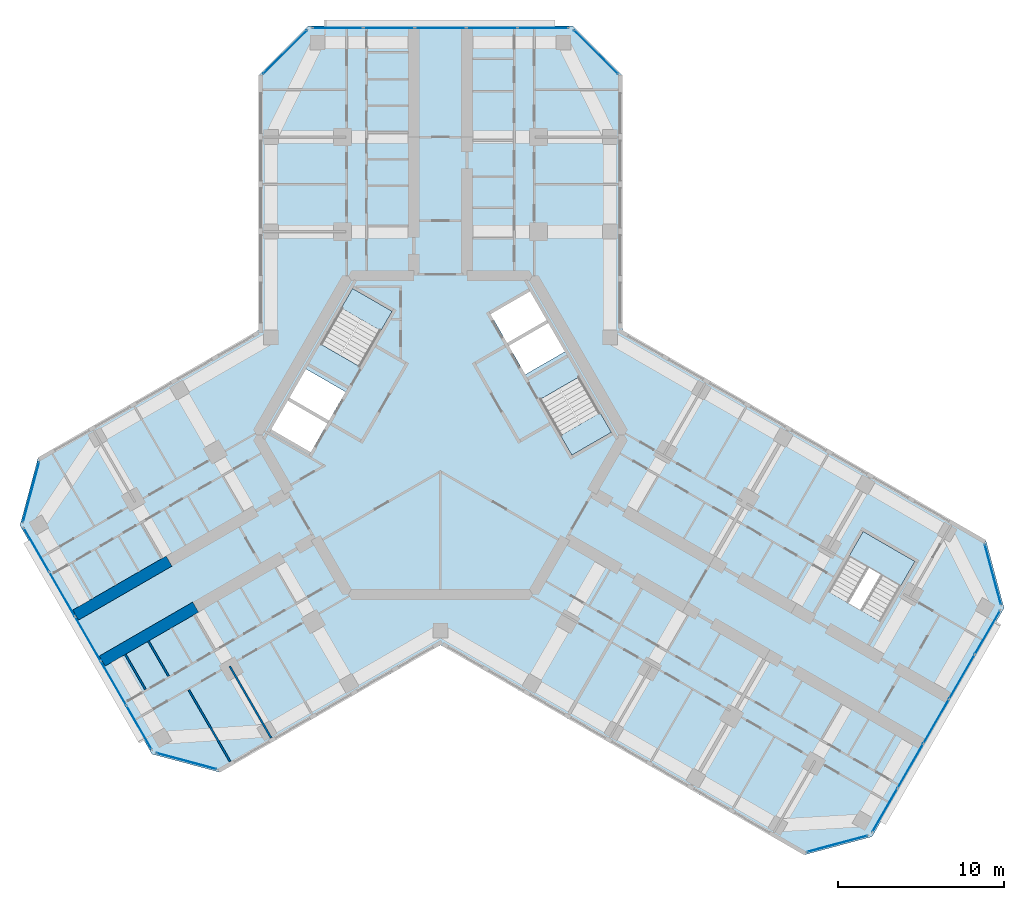
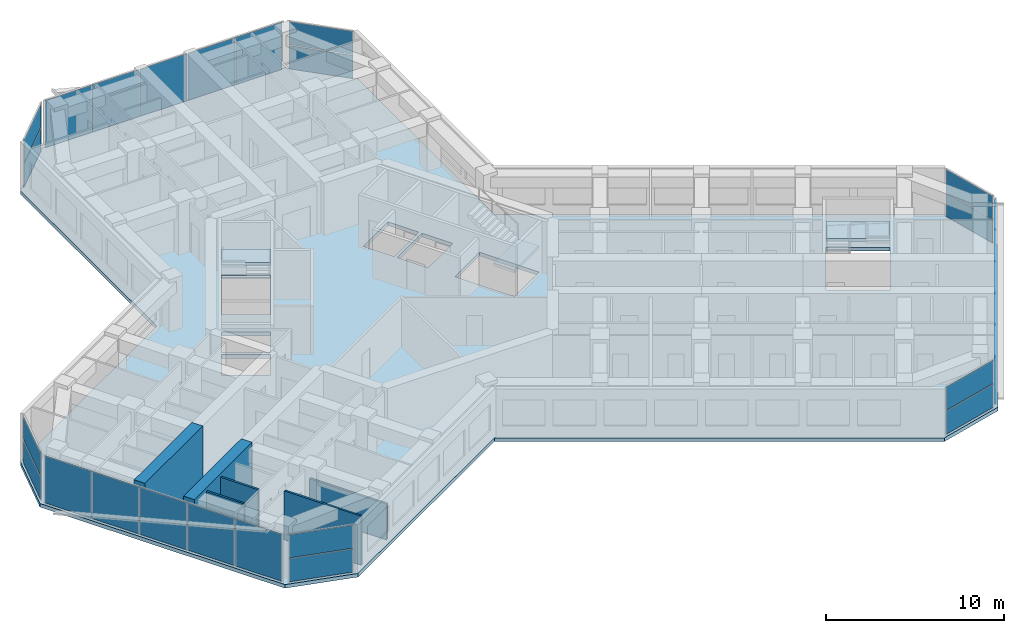
# One storey, part 7 of 16: 27 plates, 6 walls, 4 slabs, 12 elements without a shape of their own.
"""IFC4 building model written with IfcOpenShell, lengths in metres."""

from ifc_helpers import new_model, si_unit, direction, frame, frame_2d, origin, origin_2d, place, context, subcontext, project, spatial, polyline, rectangle, outline, extrude, material, layer, layer_set, type_object, element, aggregate, save


model = new_model("IFC4")

# Units and contexts
model_context = context("Model", 3, precision=1e-05, world=origin(), true_north=direction((0.0, 1.0)))
body_context = subcontext(model_context, "Body", "Model", "MODEL_VIEW")
ifc_project = project(units=[si_unit("LENGTHUNIT", "METRE"), si_unit("AREAUNIT", "SQUARE_METRE"), si_unit("VOLUMEUNIT", "CUBIC_METRE"), si_unit("PLANEANGLEUNIT", "RADIAN"), si_unit("MASSUNIT", "GRAM", prefix="KILO")], contexts=[model_context])

# Site, building, storey
site_placement = place(None, origin())
site = spatial("IfcSite", under=ifc_project, at=site_placement, CompositionType="ELEMENT")
building_placement = place(site_placement, origin())
building = spatial("IfcBuilding", under=site, at=building_placement, Name="Kosmar Iwan School Tower", CompositionType="ELEMENT")
storey_placement = place(building_placement, frame((0.0, 0.0, 215.39990234375)))
storey = spatial("IfcBuildingStorey", under=building, at=storey_placement, Name="L54", CompositionType="ELEMENT", Elevation=215.39990234375)

# Curtain wall, plates
ifc_material_1 = material(Name="Dark glass in black aluminium frame", Category="aluminium")
curtain_wall_type_1 = type_object("IfcCurtainWallType", Name="Chamfer curtain wall dark glass", PredefinedType="USERDEFINED", material=ifc_material_1)
curtain_wall_1_placement = place(storey_placement, origin())
curtain_wall_1 = element("IfcCurtainWall", 1, at=curtain_wall_1_placement, inside=storey, type_object=curtain_wall_type_1, Name="Curtain wall L54-F00", ObjectType="FACETED CURTAIN WALL", PredefinedType="USERDEFINED")
ifc_material_2 = material(Name="Dark glass", Category="glass")
ifc_layer_1 = layer(ifc_material_2, 0.028076171875)
ifc_layer_set_1 = layer_set([ifc_layer_1], Name="Dark glass panel 28")
plate_type = type_object("IfcPlateType", Name="Dark glass panel 28", PredefinedType="CURTAIN_PANEL", material=ifc_layer_set_1)
plate_1_placement = place(storey_placement, frame((23.908203125, -24.61328125, 0.06005859375), z_axis=(0.0, 0.0, 1.0), x_axis=(0.965925875495, 0.258818861462, 0.0)))
plate_1 = element("IfcPlate", 2, at=plate_1_placement, type_object=plate_type, Name="CW2 panel 1.1", PredefinedType="CURTAIN_PANEL", context=body_context, shape_type="SweptSolid", body=[
    extrude(rectangle(XDim=3.718994140625, YDim=0.028076171875, at=origin_2d()), origin(), (0.0, 0.0, 1.0), 1.5849609375),
])
plate_2_placement = place(storey_placement, frame((23.908203125, -24.61328125, 1.705078125), z_axis=(0.0, 0.0, 1.0), x_axis=(0.965925875495, 0.258818861462, 0.0)))
plate_2 = element("IfcPlate", 3, at=plate_2_placement, type_object=plate_type, Name="CW2 panel 1.2", PredefinedType="CURTAIN_PANEL", context=body_context, shape_type="SweptSolid", body=[
    extrude(rectangle(XDim=3.718994140625, YDim=0.028076171875, at=origin_2d()), origin(), (0.0, 0.0, 1.0), 1.5849609375),
])
aggregate(curtain_wall_1, [plate_1, plate_2])

ifc_material_3 = material(Name="Dark glass in black aluminium frame", Category="aluminium")
curtain_wall_type_2 = type_object("IfcCurtainWallType", Name="Tower curtain wall dark glass", PredefinedType="USERDEFINED", material=ifc_material_3)
curtain_wall_2_placement = place(storey_placement, origin())
curtain_wall_2 = element("IfcCurtainWall", 4, at=curtain_wall_2_placement, inside=storey, type_object=curtain_wall_type_2, Name="Curtain wall L54-F01", ObjectType="UNITISED CURTAIN WALL", PredefinedType="USERDEFINED")
plate_3_placement = place(storey_placement, frame((26.764404296875, -22.592529296875, 0.06005859375), z_axis=(0.0, 0.0, 1.0), x_axis=(0.499999997325, 0.866025405329, 0.0)))
plate_3 = element("IfcPlate", 5, at=plate_3_placement, type_object=plate_type, Name="CW1 panel 1.1", PredefinedType="CURTAIN_PANEL", context=body_context, shape_type="SweptSolid", body=[
    extrude(rectangle(XDim=3.00927734375, YDim=0.028076171875, at=origin_2d()), origin(), (0.0, 0.0, 1.0), 3.22998046875),
])
plate_4_placement = place(storey_placement, frame((28.306640625, -19.921630859375, 0.06005859375), z_axis=(0.0, 0.0, 1.0), x_axis=(0.499999997325, 0.866025405329, 0.0)))
plate_4 = element("IfcPlate", 6, at=plate_4_placement, type_object=plate_type, Name="CW1 panel 2.1", PredefinedType="CURTAIN_PANEL", context=body_context, shape_type="SweptSolid", body=[
    extrude(rectangle(XDim=3.039306640625, YDim=0.028076171875, at=origin_2d()), origin(), (0.0, 0.0, 1.0), 3.22998046875),
])
plate_5_placement = place(storey_placement, frame((29.856201171875, -17.237548828125, 0.06005859375), z_axis=(0.0, 0.0, 1.0), x_axis=(0.499999997325, 0.866025405329, 0.0)))
plate_5 = element("IfcPlate", 7, at=plate_5_placement, type_object=plate_type, Name="CW1 panel 3.1", PredefinedType="CURTAIN_PANEL", context=body_context, shape_type="SweptSolid", body=[
    extrude(rectangle(XDim=3.039306640625, YDim=0.028076171875, at=origin_2d()), origin(), (0.0, 0.0, 1.0), 3.22998046875),
])
plate_6_placement = place(storey_placement, frame((31.40576171875, -14.553466796875, 0.06005859375), z_axis=(0.0, 0.0, 1.0), x_axis=(0.499999997325, 0.866025405329, 0.0)))
plate_6 = element("IfcPlate", 8, at=plate_6_placement, type_object=plate_type, Name="CW1 panel 4.1", PredefinedType="CURTAIN_PANEL", context=body_context, shape_type="SweptSolid", body=[
    extrude(rectangle(XDim=3.039306640625, YDim=0.028076171875, at=origin_2d()), origin(), (0.0, 0.0, 1.0), 3.22998046875),
])
plate_7_placement = place(storey_placement, frame((32.947998046875, -11.88232421875, 0.06005859375), z_axis=(0.0, 0.0, 1.0), x_axis=(0.499999997325, 0.866025405329, 0.0)))
plate_7 = element("IfcPlate", 9, at=plate_7_placement, type_object=plate_type, Name="CW1 panel 5.1", PredefinedType="CURTAIN_PANEL", context=body_context, shape_type="SweptSolid", body=[
    extrude(rectangle(XDim=3.00927734375, YDim=0.028076171875, at=origin_2d()), origin(), (0.0, 0.0, 1.0), 3.22998046875),
])
aggregate(curtain_wall_2, [plate_3, plate_4, plate_5, plate_6, plate_7])

curtain_wall_3_placement = place(storey_placement, origin())
curtain_wall_3 = element("IfcCurtainWall", 10, at=curtain_wall_3_placement, inside=storey, type_object=curtain_wall_type_1, Name="Curtain wall L54-F02", ObjectType="FACETED CURTAIN WALL", PredefinedType="USERDEFINED")
plate_8_placement = place(storey_placement, frame((33.269775390625, -8.3984375, 0.06005859375), z_axis=(0.0, 0.0, 1.0), x_axis=(-0.258818861462, 0.965925875495, 0.0)))
plate_8 = element("IfcPlate", 11, at=plate_8_placement, type_object=plate_type, Name="CW2 panel 1.1", PredefinedType="CURTAIN_PANEL", context=body_context, shape_type="SweptSolid", body=[
    extrude(rectangle(XDim=3.718994140625, YDim=0.028076171875, at=origin_2d()), origin(), (0.0, 0.0, 1.0), 1.5849609375),
])
plate_9_placement = place(storey_placement, frame((33.269775390625, -8.3984375, 1.705078125), z_axis=(0.0, 0.0, 1.0), x_axis=(-0.258818861462, 0.965925875495, 0.0)))
plate_9 = element("IfcPlate", 12, at=plate_9_placement, type_object=plate_type, Name="CW2 panel 1.2", PredefinedType="CURTAIN_PANEL", context=body_context, shape_type="SweptSolid", body=[
    extrude(rectangle(XDim=3.718994140625, YDim=0.028076171875, at=origin_2d()), origin(), (0.0, 0.0, 1.0), 1.5849609375),
])
aggregate(curtain_wall_3, [plate_8, plate_9])

curtain_wall_4_placement = place(storey_placement, origin())
curtain_wall_4 = element("IfcCurtainWall", 13, at=curtain_wall_4_placement, inside=storey, type_object=curtain_wall_type_1, Name="Curtain wall L54-F05", ObjectType="FACETED CURTAIN WALL", PredefinedType="USERDEFINED")
plate_10_placement = place(storey_placement, frame((9.361572265625, 23.0615234375, 0.06005859375), z_axis=(0.0, 0.0, 1.0), x_axis=(-0.707106781187, 0.707106781187, 0.0)))
plate_10 = element("IfcPlate", 14, at=plate_10_placement, type_object=plate_type, Name="CW2 panel 1.1", PredefinedType="CURTAIN_PANEL", context=body_context, shape_type="SweptSolid", body=[
    extrude(rectangle(XDim=3.718994140625, YDim=0.028076171875, at=origin_2d()), origin(), (0.0, 0.0, 1.0), 1.5849609375),
])
plate_11_placement = place(storey_placement, frame((9.361572265625, 23.0615234375, 1.705078125), z_axis=(0.0, 0.0, 1.0), x_axis=(-0.707106781187, 0.707106781187, 0.0)))
plate_11 = element("IfcPlate", 15, at=plate_11_placement, type_object=plate_type, Name="CW2 panel 1.2", PredefinedType="CURTAIN_PANEL", context=body_context, shape_type="SweptSolid", body=[
    extrude(rectangle(XDim=3.718994140625, YDim=0.028076171875, at=origin_2d()), origin(), (0.0, 0.0, 1.0), 1.5849609375),
])
aggregate(curtain_wall_4, [plate_10, plate_11])

curtain_wall_5_placement = place(storey_placement, origin())
curtain_wall_5 = element("IfcCurtainWall", 16, at=curtain_wall_5_placement, inside=storey, type_object=curtain_wall_type_2, Name="Curtain wall L54-F06", ObjectType="UNITISED CURTAIN WALL", PredefinedType="USERDEFINED")
plate_12_placement = place(storey_placement, frame((6.18359375, 24.52490234375, 0.06005859375), z_axis=(0.0, 0.0, 1.0), x_axis=(-1.0, 0.0, 0.0)))
plate_12 = element("IfcPlate", 17, at=plate_12_placement, type_object=plate_type, Name="CW1 panel 1.1", PredefinedType="CURTAIN_PANEL", context=body_context, shape_type="SweptSolid", body=[
    extrude(rectangle(XDim=3.00927734375, YDim=0.028076171875, at=origin_2d()), origin(), (0.0, 0.0, 1.0), 3.22998046875),
])
plate_13_placement = place(storey_placement, frame((3.099365234375, 24.52490234375, 0.06005859375), z_axis=(0.0, 0.0, 1.0), x_axis=(-1.0, 0.0, 0.0)))
plate_13 = element("IfcPlate", 18, at=plate_13_placement, type_object=plate_type, Name="CW1 panel 2.1", PredefinedType="CURTAIN_PANEL", context=body_context, shape_type="SweptSolid", body=[
    extrude(rectangle(XDim=3.039306640625, YDim=0.028076171875, at=origin_2d()), origin(), (0.0, 0.0, 1.0), 3.22998046875),
])
plate_14_placement = place(storey_placement, frame((0.0, 24.52490234375, 0.06005859375), z_axis=(0.0, 0.0, 1.0), x_axis=(-1.0, 0.0, 0.0)))
plate_14 = element("IfcPlate", 19, at=plate_14_placement, type_object=plate_type, Name="CW1 panel 3.1", PredefinedType="CURTAIN_PANEL", context=body_context, shape_type="SweptSolid", body=[
    extrude(rectangle(XDim=3.039306640625, YDim=0.028076171875, at=origin_2d()), origin(), (0.0, 0.0, 1.0), 3.22998046875),
])
plate_15_placement = place(storey_placement, frame((-3.099365234375, 24.52490234375, 0.06005859375), z_axis=(0.0, 0.0, 1.0), x_axis=(-1.0, 0.0, 0.0)))
plate_15 = element("IfcPlate", 20, at=plate_15_placement, type_object=plate_type, Name="CW1 panel 4.1", PredefinedType="CURTAIN_PANEL", context=body_context, shape_type="SweptSolid", body=[
    extrude(rectangle(XDim=3.039306640625, YDim=0.028076171875, at=origin_2d()), origin(), (0.0, 0.0, 1.0), 3.22998046875),
])
plate_16_placement = place(storey_placement, frame((-6.18359375, 24.52490234375, 0.06005859375), z_axis=(0.0, 0.0, 1.0), x_axis=(-1.0, 0.0, 0.0)))
plate_16 = element("IfcPlate", 21, at=plate_16_placement, type_object=plate_type, Name="CW1 panel 5.1", PredefinedType="CURTAIN_PANEL", context=body_context, shape_type="SweptSolid", body=[
    extrude(rectangle(XDim=3.00927734375, YDim=0.028076171875, at=origin_2d()), origin(), (0.0, 0.0, 1.0), 3.22998046875),
])
aggregate(curtain_wall_5, [plate_12, plate_13, plate_14, plate_15, plate_16])

curtain_wall_6_placement = place(storey_placement, origin())
curtain_wall_6 = element("IfcCurtainWall", 22, at=curtain_wall_6_placement, inside=storey, type_object=curtain_wall_type_1, Name="Curtain wall L54-F07", ObjectType="FACETED CURTAIN WALL", PredefinedType="USERDEFINED")
plate_17_placement = place(storey_placement, frame((-9.361572265625, 23.0615234375, 0.06005859375), z_axis=(0.0, 0.0, 1.0), x_axis=(-0.707106781187, -0.707106781187, 0.0)))
plate_17 = element("IfcPlate", 23, at=plate_17_placement, type_object=plate_type, Name="CW2 panel 1.1", PredefinedType="CURTAIN_PANEL", context=body_context, shape_type="SweptSolid", body=[
    extrude(rectangle(XDim=3.718994140625, YDim=0.028076171875, at=origin_2d()), origin(), (0.0, 0.0, 1.0), 1.5849609375),
])
plate_18_placement = place(storey_placement, frame((-9.361572265625, 23.0615234375, 1.705078125), z_axis=(0.0, 0.0, 1.0), x_axis=(-0.707106781187, -0.707106781187, 0.0)))
plate_18 = element("IfcPlate", 24, at=plate_18_placement, type_object=plate_type, Name="CW2 panel 1.2", PredefinedType="CURTAIN_PANEL", context=body_context, shape_type="SweptSolid", body=[
    extrude(rectangle(XDim=3.718994140625, YDim=0.028076171875, at=origin_2d()), origin(), (0.0, 0.0, 1.0), 1.5849609375),
])
aggregate(curtain_wall_6, [plate_17, plate_18])

curtain_wall_7_placement = place(storey_placement, origin())
curtain_wall_7 = element("IfcCurtainWall", 25, at=curtain_wall_7_placement, inside=storey, type_object=curtain_wall_type_1, Name="Curtain wall L54-F10", ObjectType="FACETED CURTAIN WALL", PredefinedType="USERDEFINED")
plate_19_placement = place(storey_placement, frame((-24.65283203125, -3.42333984375, 0.06005859375), z_axis=(0.0, 0.0, 1.0), x_axis=(-0.258818861462, -0.965925875495, 0.0)))
plate_19 = element("IfcPlate", 26, at=plate_19_placement, type_object=plate_type, Name="CW2 panel 1.1", PredefinedType="CURTAIN_PANEL", context=body_context, shape_type="SweptSolid", body=[
    extrude(rectangle(XDim=3.718994140625, YDim=0.028076171875, at=origin_2d()), origin(), (0.0, 0.0, 1.0), 1.5849609375),
])
plate_20_placement = place(storey_placement, frame((-24.65283203125, -3.42333984375, 1.705078125), z_axis=(0.0, 0.0, 1.0), x_axis=(-0.258818861462, -0.965925875495, 0.0)))
plate_20 = element("IfcPlate", 27, at=plate_20_placement, type_object=plate_type, Name="CW2 panel 1.2", PredefinedType="CURTAIN_PANEL", context=body_context, shape_type="SweptSolid", body=[
    extrude(rectangle(XDim=3.718994140625, YDim=0.028076171875, at=origin_2d()), origin(), (0.0, 0.0, 1.0), 1.5849609375),
])
aggregate(curtain_wall_7, [plate_19, plate_20])

curtain_wall_8_placement = place(storey_placement, origin())
curtain_wall_8 = element("IfcCurtainWall", 28, at=curtain_wall_8_placement, inside=storey, type_object=curtain_wall_type_2, Name="Curtain wall L54-F11", ObjectType="UNITISED CURTAIN WALL", PredefinedType="USERDEFINED")
plate_21_placement = place(storey_placement, frame((-24.3310546875, -6.907470703125, 0.06005859375), z_axis=(0.0, 0.0, 1.0), x_axis=(0.499999997325, -0.866025405329, 0.0)))
plate_21 = element("IfcPlate", 29, at=plate_21_placement, type_object=plate_type, Name="CW1 panel 1.1", PredefinedType="CURTAIN_PANEL", context=body_context, shape_type="SweptSolid", body=[
    extrude(rectangle(XDim=3.00927734375, YDim=0.028076171875, at=origin_2d()), origin(), (0.0, 0.0, 1.0), 3.22998046875),
])
plate_22_placement = place(storey_placement, frame((-22.788818359375, -9.578369140625, 0.06005859375), z_axis=(0.0, 0.0, 1.0), x_axis=(0.499999997325, -0.866025405329, 0.0)))
plate_22 = element("IfcPlate", 30, at=plate_22_placement, type_object=plate_type, Name="CW1 panel 2.1", PredefinedType="CURTAIN_PANEL", context=body_context, shape_type="SweptSolid", body=[
    extrude(rectangle(XDim=3.039306640625, YDim=0.028076171875, at=origin_2d()), origin(), (0.0, 0.0, 1.0), 3.22998046875),
])
plate_23_placement = place(storey_placement, frame((-21.2392578125, -12.262451171875, 0.06005859375), z_axis=(0.0, 0.0, 1.0), x_axis=(0.499999997325, -0.866025405329, 0.0)))
plate_23 = element("IfcPlate", 31, at=plate_23_placement, type_object=plate_type, Name="CW1 panel 3.1", PredefinedType="CURTAIN_PANEL", context=body_context, shape_type="SweptSolid", body=[
    extrude(rectangle(XDim=3.039306640625, YDim=0.028076171875, at=origin_2d()), origin(), (0.0, 0.0, 1.0), 3.22998046875),
])
plate_24_placement = place(storey_placement, frame((-19.689697265625, -14.946533203125, 0.06005859375), z_axis=(0.0, 0.0, 1.0), x_axis=(0.499999997325, -0.866025405329, 0.0)))
plate_24 = element("IfcPlate", 32, at=plate_24_placement, type_object=plate_type, Name="CW1 panel 4.1", PredefinedType="CURTAIN_PANEL", context=body_context, shape_type="SweptSolid", body=[
    extrude(rectangle(XDim=3.039306640625, YDim=0.028076171875, at=origin_2d()), origin(), (0.0, 0.0, 1.0), 3.22998046875),
])
plate_25_placement = place(storey_placement, frame((-18.1474609375, -17.61767578125, 0.06005859375), z_axis=(0.0, 0.0, 1.0), x_axis=(0.499999997325, -0.866025405329, 0.0)))
plate_25 = element("IfcPlate", 33, at=plate_25_placement, type_object=plate_type, Name="CW1 panel 5.1", PredefinedType="CURTAIN_PANEL", context=body_context, shape_type="SweptSolid", body=[
    extrude(rectangle(XDim=3.00927734375, YDim=0.028076171875, at=origin_2d()), origin(), (0.0, 0.0, 1.0), 3.22998046875),
])
aggregate(curtain_wall_8, [plate_21, plate_22, plate_23, plate_24, plate_25])

curtain_wall_9_placement = place(storey_placement, origin())
curtain_wall_9 = element("IfcCurtainWall", 34, at=curtain_wall_9_placement, inside=storey, type_object=curtain_wall_type_1, Name="Curtain wall L54-F12", ObjectType="FACETED CURTAIN WALL", PredefinedType="USERDEFINED")
plate_26_placement = place(storey_placement, frame((-15.291015625, -19.63818359375, 0.06005859375), z_axis=(0.0, 0.0, 1.0), x_axis=(0.965925875495, -0.258818861462, 0.0)))
plate_26 = element("IfcPlate", 35, at=plate_26_placement, type_object=plate_type, Name="CW2 panel 1.1", PredefinedType="CURTAIN_PANEL", context=body_context, shape_type="SweptSolid", body=[
    extrude(rectangle(XDim=3.718994140625, YDim=0.028076171875, at=origin_2d()), origin(), (0.0, 0.0, 1.0), 1.5849609375),
])
plate_27_placement = place(storey_placement, frame((-15.291015625, -19.63818359375, 1.705078125), z_axis=(0.0, 0.0, 1.0), x_axis=(0.965925875495, -0.258818861462, 0.0)))
plate_27 = element("IfcPlate", 36, at=plate_27_placement, type_object=plate_type, Name="CW2 panel 1.2", PredefinedType="CURTAIN_PANEL", context=body_context, shape_type="SweptSolid", body=[
    extrude(rectangle(XDim=3.718994140625, YDim=0.028076171875, at=origin_2d()), origin(), (0.0, 0.0, 1.0), 1.5849609375),
])
aggregate(curtain_wall_9, [plate_26, plate_27])

# Stair, slab
ifc_material_4 = material(Name="Concrete C35/45", Category="concrete")
stair_type_1 = type_object("IfcStairType", Name="Escape stair 3600", PredefinedType="HALF_TURN_STAIR", material=ifc_material_4)
stair_1_placement = place(storey_placement, origin())
stair_1 = element("IfcStair", 37, at=stair_1_placement, inside=storey, type_object=stair_type_1, Name="Stair WS3 L54", PredefinedType="HALF_TURN_STAIR")
ifc_material_5 = material(Name="Concrete C35/45", Category="concrete")
ifc_layer_2 = layer(ifc_material_5, 0.199951171875)
ifc_layer_set_2 = layer_set([ifc_layer_2], Name="Escape stair landing 200")
slab_type_1 = type_object("IfcSlabType", Name="Escape stair landing 200", PredefinedType="LANDING", material=ifc_layer_set_2)
slab_1_placement = place(storey_placement, frame((0.0, 0.0, 1.60009765625)))
slab_1 = element("IfcSlab", 38, at=slab_1_placement, type_object=slab_type_1, Name="WS3 landing 1", PredefinedType="LANDING", context=body_context, shape_type="SweptSolid", body=[
    extrude(outline(polyline([(24.607421875, -7.27880859375), (27.72509765625, -9.078857421875), (28.574951171875, -7.606689453125), (25.457275390625, -5.806640625), (24.607421875, -7.27880859375)])), origin(), (0.0, 0.0, 1.0), 0.199951171875),
])
aggregate(stair_1, [slab_1])

# Slab
ifc_material_6 = material(Name="Concrete C35/45", Category="concrete")
ifc_layer_3 = layer(ifc_material_6, 0.25)
ifc_layer_set_3 = layer_set([ifc_layer_3], Name="Floor slab 250")
slab_type_2 = type_object("IfcSlabType", Name="Floor slab 250", PredefinedType="FLOOR", material=ifc_layer_set_3)
slab_2_placement = place(storey_placement, frame((0.0, 0.0, -0.25)))
element("IfcSlab", 39, at=slab_2_placement, inside=storey, type_object=slab_type_2, Name="L54 floor slab", PredefinedType="FLOOR", context=body_context, shape_type="SweptSolid", body=[
    extrude(outline(polyline([(21.891357421875, -25.282958984375), (25.989501953125, -24.184814453125), (33.939453125, -10.4150390625), (32.84130859375, -6.317138671875), (10.949951171875, 6.322021484375), (10.949951171875, 21.64990234375), (7.949951171875, 24.64990234375), (-7.949951171875, 24.64990234375), (-10.949951171875, 21.64990234375), (-10.949951171875, 6.322021484375), (-24.224365234375, -1.342041015625), (-25.322509765625, -5.440185546875), (-17.37255859375, -19.2099609375), (-13.2744140625, -20.307861328125), (0.0, -12.64404296875), (21.891357421875, -25.282958984375)]), holes=[polyline([(7.91259765625, -1.205078125), (10.294189453125, 0.169921875), (8.3642578125, 3.5126953125), (5.982666015625, 2.1376953125), (7.91259765625, -1.205078125)]), polyline([(-2.91259765625, 7.455078125), (-5.294189453125, 8.830078125), (-7.22412109375, 5.4873046875), (-4.8427734375, 4.1123046875), (-2.91259765625, 7.455078125)]), polyline([(-5.712646484375, 2.60546875), (-8.09423828125, 3.98046875), (-9.09423828125, 2.248291015625), (-6.712646484375, 0.873291015625), (-5.712646484375, 2.60546875)]), polyline([(-6.812744140625, 0.7001953125), (-9.1943359375, 2.0751953125), (-10.1943359375, 0.343017578125), (-7.812744140625, -1.031982421875), (-6.812744140625, 0.7001953125)]), polyline([(5.112548828125, 3.64453125), (7.494140625, 5.01953125), (6.494140625, 6.751708984375), (4.112548828125, 5.376708984375), (5.112548828125, 3.64453125)]), polyline([(4.0126953125, 5.5498046875), (6.394287109375, 6.9248046875), (5.394287109375, 8.656982421875), (3.0126953125, 7.281982421875), (4.0126953125, 5.5498046875)]), polyline([(23.367431640625, -9.426513671875), (26.485107421875, -11.2265625), (28.574951171875, -7.606689453125), (25.457275390625, -5.806640625), (23.367431640625, -9.426513671875)])]), origin(), (0.0, 0.0, 1.0), 0.25),
])

# Stair, slab
ifc_material_7 = material(Name="Concrete C35/45", Category="concrete")
stair_type_2 = type_object("IfcStairType", Name="Core stair 2750", PredefinedType="HALF_TURN_STAIR", material=ifc_material_7)
stair_2_placement = place(storey_placement, origin())
stair_2 = element("IfcStair", 40, at=stair_2_placement, inside=storey, type_object=stair_type_2, Name="Stair ST2 L54", PredefinedType="HALF_TURN_STAIR")
ifc_material_8 = material(Name="Concrete C35/45", Category="concrete")
ifc_layer_4 = layer(ifc_material_8, 0.199951171875)
ifc_layer_set_4 = layer_set([ifc_layer_4], Name="Stair landing 200")
slab_type_3 = type_object("IfcSlabType", Name="Stair landing 200", PredefinedType="LANDING", material=ifc_layer_set_4)
slab_3_placement = place(storey_placement, frame((0.0, 0.0, 1.60009765625)))
slab_3 = element("IfcSlab", 41, at=slab_3_placement, type_object=slab_type_3, Name="ST2 landing 1", PredefinedType="LANDING", context=body_context, shape_type="SweptSolid", body=[
    extrude(outline(polyline([(-2.91259765625, 7.455078125), (-5.294189453125, 8.830078125), (-5.97412109375, 7.65234375), (-3.5927734375, 6.27734375), (-2.91259765625, 7.455078125)])), origin(), (0.0, 0.0, 1.0), 0.199951171875),
])
aggregate(stair_2, [slab_3])

stair_3_placement = place(storey_placement, origin())
stair_3 = element("IfcStair", 42, at=stair_3_placement, inside=storey, type_object=stair_type_2, Name="Stair ST1 L54", PredefinedType="HALF_TURN_STAIR")
slab_4_placement = place(storey_placement, frame((0.0, 0.0, 1.60009765625)))
slab_4 = element("IfcSlab", 43, at=slab_4_placement, type_object=slab_type_3, Name="ST1 landing 1", PredefinedType="LANDING", context=body_context, shape_type="SweptSolid", body=[
    extrude(outline(polyline([(7.91259765625, -1.205078125), (10.294189453125, 0.169921875), (9.6142578125, 1.34765625), (7.232666015625, -0.02734375), (7.91259765625, -1.205078125)])), origin(), (0.0, 0.0, 1.0), 0.199951171875),
])
aggregate(stair_3, [slab_4])

# Walls
ifc_material_9 = material(Name="Concrete C50/60", Category="concrete")
ifc_layer_5 = layer(ifc_material_9, 0.699951171875)
ifc_layer_set_5 = layer_set([ifc_layer_5], Name="Corridor buttress wall 700")
wall_type_1 = type_object("IfcWallType", Name="Corridor buttress wall 700", PredefinedType="SHEAR", material=ifc_layer_set_5)
wall_1_placement = place(storey_placement, frame((-14.7451171875, -10.360595703125, 0.0), z_axis=(0.0, 0.0, 1.0), x_axis=(-0.866027848477, -0.499995765644, 0.0)))
element("IfcWall", 44, at=wall_1_placement, inside=storey, type_object=wall_type_1, Name="Corridor wall BL bay 2", PredefinedType="SHEAR", context=body_context, shape_type="SweptSolid", body=[
    extrude(rectangle(XDim=6.4951171875, YDim=0.699951171875, at=frame_2d((3.24755859375, 0.0))), origin(), (0.0, 0.0, 1.0), 3.60009765625),
])
wall_2_placement = place(storey_placement, frame((-16.34521484375, -7.58935546875, 0.0), z_axis=(0.0, 0.0, 1.0), x_axis=(-0.866018451174, -0.500012042081, 0.0)))
element("IfcWall", 45, at=wall_2_placement, inside=storey, type_object=wall_type_1, Name="Corridor wall BR bay 2", PredefinedType="SHEAR", context=body_context, shape_type="SweptSolid", body=[
    extrude(rectangle(XDim=6.494873046875, YDim=0.699951171875, at=frame_2d((3.24755859375, 0.0))), origin(), (0.0, 0.0, 1.0), 3.60009765625),
])
ifc_material_10 = material(Name="Gypsum board on steel studs", Category="steel")
ifc_layer_6 = layer(ifc_material_10, 0.1201171875)
ifc_layer_set_6 = layer_set([ifc_layer_6], Name="Dwelling partition 120")
wall_type_2 = type_object("IfcWallType", Name="Dwelling partition 120", PredefinedType="PARTITIONING", material=ifc_layer_set_6)
wall_3_placement = place(storey_placement, frame((-12.690185546875, -13.919921875, 0.0), z_axis=(0.0, 0.0, 1.0), x_axis=(0.500011847778, -0.866018563358, 0.0)))
element("IfcWall", 46, at=wall_3_placement, inside=storey, type_object=wall_type_2, Name="Partition L54-BL1-X2", PredefinedType="PARTITIONING", context=body_context, shape_type="SweptSolid", body=[
    extrude(rectangle(XDim=4.990234375, YDim=0.1201171875, at=frame_2d((2.4951171875, 0.0))), origin(), (0.0, 0.0, 1.0), 2.4501953125),
])
wall_4_placement = place(storey_placement, frame((-15.158447265625, -15.344970703125, 0.0), z_axis=(0.0, 0.0, 1.0), x_axis=(0.500011847778, -0.866018563358, 0.0)))
element("IfcWall", 47, at=wall_4_placement, inside=storey, type_object=wall_type_2, Name="Partition L54-BL1-X3", PredefinedType="PARTITIONING", context=body_context, shape_type="SweptSolid", body=[
    extrude(rectangle(XDim=4.990234375, YDim=0.1201171875, at=frame_2d((2.4951171875, 0.0))), origin(), (0.0, 0.0, 1.0), 3.35009765625),
])
wall_5_placement = place(storey_placement, frame((-17.589599609375, -12.406982421875, 0.0), z_axis=(0.0, 0.0, 1.0), x_axis=(0.499959183527, -0.866048967903, 0.0)))
element("IfcWall", 48, at=wall_5_placement, inside=storey, type_object=wall_type_2, Name="Partition L54-BL1-Y6", PredefinedType="PARTITIONING", context=body_context, shape_type="SweptSolid", body=[
    extrude(rectangle(XDim=2.440185546875, YDim=0.1201171875, at=frame_2d((1.22021484375, 0.0))), origin(), (0.0, 0.0, 1.0), 3.35009765625),
])
wall_6_placement = place(storey_placement, frame((-18.981201171875, -13.21044921875, 0.0), z_axis=(0.0, 0.0, 1.0), x_axis=(0.500077547548, -0.865980627057, 0.0)))
element("IfcWall", 49, at=wall_6_placement, inside=storey, type_object=wall_type_2, Name="Partition L54-BL1-Y7", PredefinedType="PARTITIONING", context=body_context, shape_type="SweptSolid", body=[
    extrude(rectangle(XDim=2.43994140625, YDim=0.1201171875, at=frame_2d((1.219970703125, 0.0))), origin(), (0.0, 0.0, 1.0), 3.35009765625),
])

save(model, "model.ifc")
